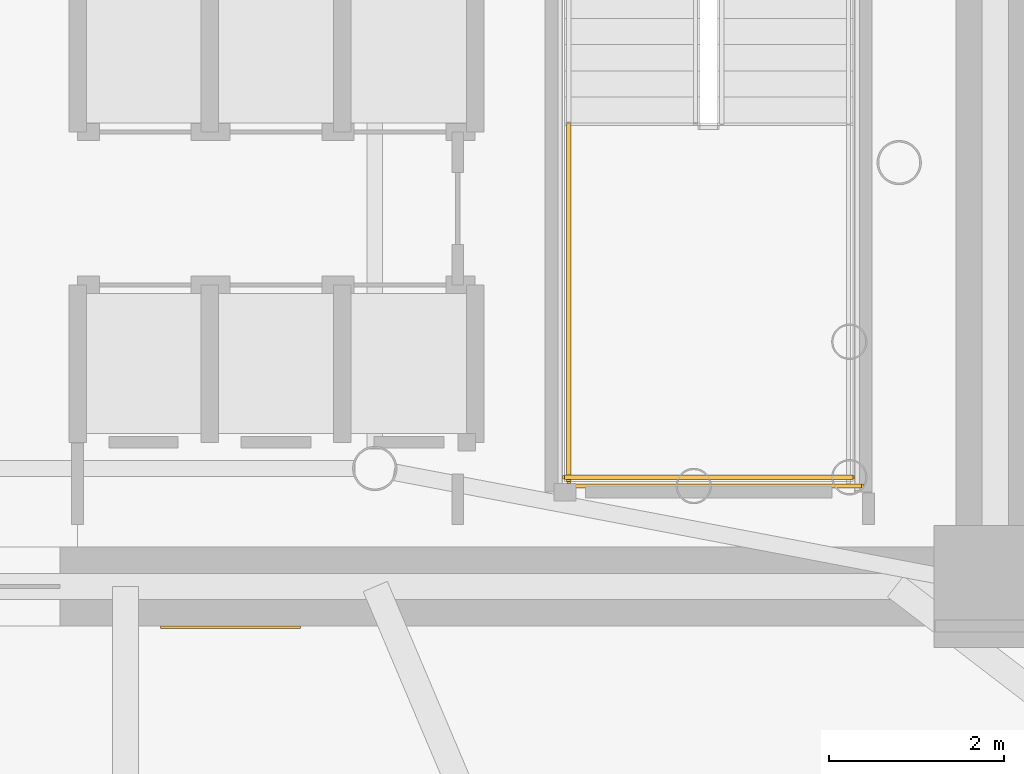
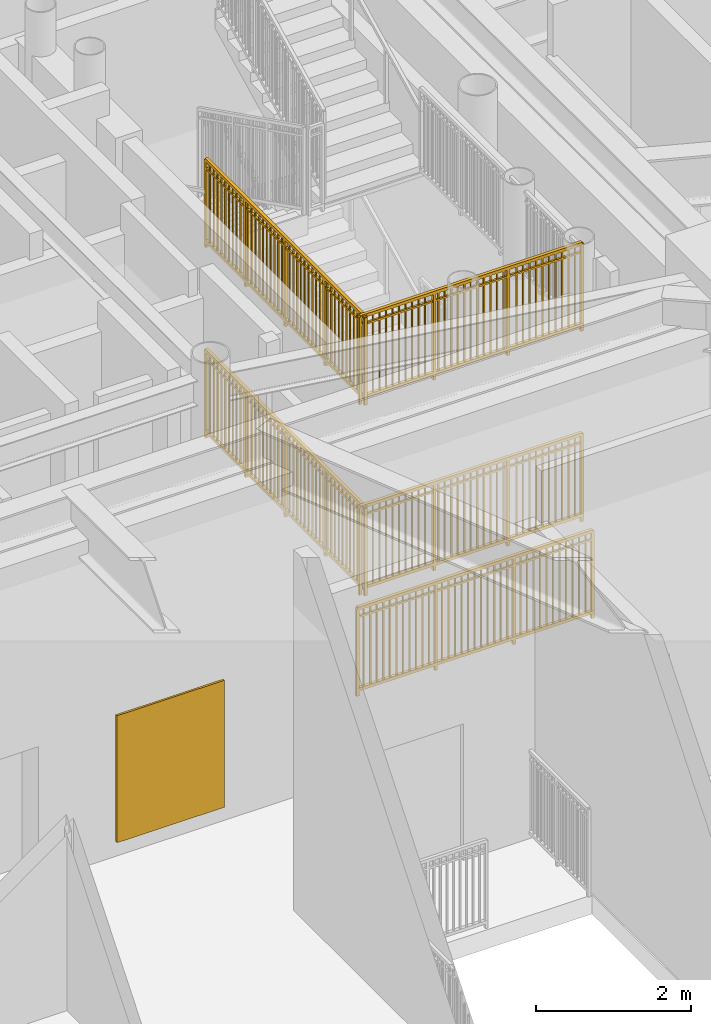
# One storey, part 40 of 46: 5 railings, 1 covering.
"""IFC4 building model written with IfcOpenShell, lengths in metres."""

import ifcopenshell
import ifcopenshell.guid

model = None  # the IFC model being written
_history = None  # IfcOwnerHistory: only IFC2X3 demands one
_inside = {}  # id of a spatial element -> (the spatial element, [elements in it])
_under = {}  # id of a project, library or spatial element -> (it, [spatial elements below it])
_declared = {}  # id of a project -> (the project, [libraries it declares])
_typed = {}  # id of a type object -> (the type object, [elements of that type])
_made_of = {}  # id of a material, layer set ... -> (it, [elements and type objects made of it])


def new_model(schema):
    """Start an empty IFC model of exactly this schema.

    Asked for "IFC4X3", IfcOpenShell would pick the latest addendum, in which some entities
    have other attributes; the version numbers below select the first issue.
    IFC2X3 requires an IfcOwnerHistory on every rooted entity: one is made here for all.
    """
    global model, _history
    if schema == "IFC4X3":
        model = ifcopenshell.file(schema_version=(4, 3, 0, 0))
    else:
        model = ifcopenshell.file(schema=schema)
    _inside.clear()
    _under.clear()
    _declared.clear()
    _typed.clear()
    _made_of.clear()
    _history = None
    if model.schema == "IFC2X3":
        org = make("IfcOrganization", Name="unknown")
        user = make(
            "IfcPersonAndOrganization",
            ThePerson=make("IfcPerson", FamilyName="unknown"),
            TheOrganization=org,
        )
        app = make(
            "IfcApplication",
            ApplicationDeveloper=org,
            Version="unknown",
            ApplicationFullName="unknown",
            ApplicationIdentifier="unknown",
        )
        _history = make(
            "IfcOwnerHistory",
            OwningUser=user,
            OwningApplication=app,
            ChangeAction="ADDED",
            CreationDate=0,
        )
    return model


def make(cls, **values):
    """One entity of the class cls with the attributes given. An attribute that is None is left unset."""
    return model.create_entity(
        cls, **{name: value for name, value in values.items() if value is not None}
    )


def rooted(cls, **values):
    """An entity with a GlobalId (a new one), such as an element, a storey or a relation."""
    return make(cls, GlobalId=ifcopenshell.guid.new(), OwnerHistory=_history, **values)


def si_unit(unit_type, name, prefix=None):
    """IfcSIUnit, for example si_unit("LENGTHUNIT", "METRE", prefix="MILLI")."""
    return make("IfcSIUnit", UnitType=unit_type, Prefix=prefix, Name=name)


def assignment(units):
    """IfcUnitAssignment: the units of a project."""
    return None if units is None else make("IfcUnitAssignment", Units=units)


def point(xyz):
    """IfcCartesianPoint."""
    return None if xyz is None else make("IfcCartesianPoint", Coordinates=xyz)


def direction(xyz):
    """IfcDirection."""
    return None if xyz is None else make("IfcDirection", DirectionRatios=xyz)


def frame(location, z_axis=None, x_axis=None):
    """IfcAxis2Placement3D, a coordinate frame: its origin and axes. An axis left out is left unset."""
    return make(
        "IfcAxis2Placement3D",
        Location=point(location),
        Axis=direction(z_axis),
        RefDirection=direction(x_axis),
    )


def frame_2d(location, x_axis=None):
    """IfcAxis2Placement2D, a coordinate frame in the plane: its origin and x axis."""
    return make(
        "IfcAxis2Placement2D", Location=point(location), RefDirection=direction(x_axis)
    )


def origin():
    """The frame at (0, 0, 0) with its axes left unset."""
    return frame((0.0, 0.0, 0.0))


def origin_2d():
    """The frame at (0, 0) in the plane with its x axis left unset."""
    return frame_2d((0.0, 0.0))


def place(relative_to, where):
    """IfcLocalPlacement: puts the frame where relative to a parent placement (None: the world)."""
    return make(
        "IfcLocalPlacement", PlacementRelTo=relative_to, RelativePlacement=where
    )


def context(
    kind, dimensions, precision=None, world=None, true_north=None, identifier=None
):
    """IfcGeometricRepresentationContext, for example the 3D "Model" context."""
    return make(
        "IfcGeometricRepresentationContext",
        ContextIdentifier=identifier,
        ContextType=kind,
        CoordinateSpaceDimension=dimensions,
        Precision=precision,
        WorldCoordinateSystem=world,
        TrueNorth=true_north,
    )


def subcontext(parent, identifier, kind, view, scale=None):
    """IfcGeometricRepresentationSubContext, for example "Body" below "Model"."""
    return make(
        "IfcGeometricRepresentationSubContext",
        ContextIdentifier=identifier,
        ContextType=kind,
        ParentContext=parent,
        TargetScale=scale,
        TargetView=view,
    )


def project(units=None, contexts=None):
    """IfcProject with its units and contexts."""
    return rooted(
        "IfcProject",
        Name="project",
        RepresentationContexts=contexts,
        UnitsInContext=assignment(units),
    )


def spatial(cls, under=None, at=None, **own):
    """A site, building, storey or space (cls), placed at a placement, below another one or the project."""
    s = rooted(cls, ObjectPlacement=at, **own)
    if under is not None:
        _under.setdefault(under.id(), (under, []))[1].append(s)
    return s


def profile(cls, at=None, kind="AREA", **sizes):
    """A parametric profile (cls). Its sizes go by their IFC names, for example OverallWidth=200.0."""
    return make(cls, ProfileType=kind, Position=at, **sizes)


def rectangle(**sizes):
    """IfcRectangleProfileDef."""
    return profile("IfcRectangleProfileDef", **sizes)


def extrude(swept, where, along, depth):
    """IfcExtrudedAreaSolid: the profile swept, set in the frame where, extruded along a direction by depth."""
    return make(
        "IfcExtrudedAreaSolid",
        SweptArea=swept,
        Position=where,
        ExtrudedDirection=direction(along),
        Depth=depth,
    )


def shape(context_of_items, identifier, shape_type, items):
    """IfcShapeRepresentation: the items that make up one representation, for example the "Body"."""
    return make(
        "IfcShapeRepresentation",
        ContextOfItems=context_of_items,
        RepresentationIdentifier=identifier,
        RepresentationType=shape_type,
        Items=items,
    )


def source(mapping_origin, context_of_items, identifier, shape_type, items):
    """IfcRepresentationMap: a shape defined once, which mapped items show again and again."""
    return make(
        "IfcRepresentationMap",
        MappingOrigin=mapping_origin,
        MappedRepresentation=shape(context_of_items, identifier, shape_type, items),
    )


def transform(
    local_origin,
    x_axis=None,
    y_axis=None,
    z_axis=None,
    scale=None,
    scale2=None,
    scale3=None,
    uniform=True,
):
    """IfcCartesianTransformationOperator3D, or its non-uniform kind. x_axis, y_axis, z_axis: its Axis1, 2, 3."""
    if uniform:
        return make(
            "IfcCartesianTransformationOperator3D",
            Axis1=direction(x_axis),
            Axis2=direction(y_axis),
            LocalOrigin=point(local_origin),
            Scale=scale,
            Axis3=direction(z_axis),
        )
    return make(
        "IfcCartesianTransformationOperator3DnonUniform",
        Axis1=direction(x_axis),
        Axis2=direction(y_axis),
        LocalOrigin=point(local_origin),
        Scale=scale,
        Axis3=direction(z_axis),
        Scale2=scale2,
        Scale3=scale3,
    )


def mapped(mapping_source, mapping_target):
    """IfcMappedItem: shows the shape of a source again, moved by a transform."""
    return make(
        "IfcMappedItem", MappingSource=mapping_source, MappingTarget=mapping_target
    )


def material(Name=None, Category=None):
    """IfcMaterial."""
    return make("IfcMaterial", Name=Name, Category=Category)


def layer(
    of_material, thickness, ventilated=None, Name=None, Category=None, Priority=None
):
    """IfcMaterialLayer: one layer of a wall or slab, of a material (None: an air gap)."""
    return make(
        "IfcMaterialLayer",
        Material=of_material,
        LayerThickness=thickness,
        IsVentilated=ventilated,
        Name=Name,
        Category=Category,
        Priority=Priority,
    )


def layer_set(layers, Name=None):
    """IfcMaterialLayerSet."""
    return make("IfcMaterialLayerSet", MaterialLayers=layers, LayerSetName=Name)


def made_of(thing, what):
    """Note that an element or type object is made of a material, layer set ...; save() writes the relation."""
    if what is not None:
        _made_of.setdefault(what.id(), (what, []))[1].append(thing)
    return thing


def type_object(cls, material=None, **own):
    """A type object (cls), such as IfcWallType, which elements share."""
    return made_of(rooted(cls, **own), material)


def element(
    cls,
    number,
    at=None,
    inside=None,
    cuts=None,
    type_object=None,
    material=None,
    context=None,
    identifier="Body",
    shape_type=None,
    held_by="IfcProductDefinitionShape",
    body=None,
    shapes=None,
    **own,
):
    """One element of the class cls, such as IfcWall. Its Tag is "e" and its number.

    at: its placement. inside: the storey or other place that contains it. cuts: it is an
    opening in that element (IfcRelVoidsElement). A single representation is given by context,
    identifier, shape_type and body (its items); several are given by shapes. held_by: the class
    of the entity that holds the representations. save() writes the other relations.
    """
    e = rooted(cls, Tag="e%d" % number, ObjectPlacement=at, **own)
    if body is not None:
        shapes = [shape(context, identifier, shape_type, body)]
    if shapes is not None:
        e.Representation = make(held_by, Representations=shapes)
    if inside is not None:
        _inside.setdefault(inside.id(), (inside, []))[1].append(e)
    if cuts is not None:
        rooted(
            "IfcRelVoidsElement", RelatingBuildingElement=cuts, RelatedOpeningElement=e
        )
    if type_object is not None:
        _typed.setdefault(type_object.id(), (type_object, []))[1].append(e)
    return made_of(e, material)


def aggregate(whole, parts):
    """IfcRelAggregates: a whole, such as a stair, and the parts it consists of."""
    return rooted("IfcRelAggregates", RelatingObject=whole, RelatedObjects=parts)


def save(model, path):
    """Write the relations noted so far, then the file.

    IfcRelAggregates (storeys below a building ...), IfcRelContainedInSpatialStructure (elements
    in a storey), IfcRelDefinesByType, IfcRelAssociatesMaterial and IfcRelDeclares: one each for
    every whole, place, type object, material and project.
    """
    for whole, parts in _under.values():
        aggregate(whole, parts)
    for where, things in _inside.values():
        rooted(
            "IfcRelContainedInSpatialStructure",
            RelatedElements=things,
            RelatingStructure=where,
        )
    for kind, things in _typed.values():
        rooted("IfcRelDefinesByType", RelatedObjects=things, RelatingType=kind)
    for what, things in _made_of.values():
        rooted("IfcRelAssociatesMaterial", RelatedObjects=things, RelatingMaterial=what)
    for by, libraries in _declared.values():
        rooted("IfcRelDeclares", RelatingContext=by, RelatedDefinitions=libraries)
    model.write(path)


model = new_model("IFC4")

# Units and contexts
model_context = context("Model", 3, precision=1e-05, world=origin(), true_north=direction((0.0, 1.0)))
body_context = subcontext(model_context, "Body", "Model", "MODEL_VIEW")
ifc_project = project(units=[si_unit("LENGTHUNIT", "METRE"), si_unit("AREAUNIT", "SQUARE_METRE"), si_unit("VOLUMEUNIT", "CUBIC_METRE"), si_unit("PLANEANGLEUNIT", "RADIAN"), si_unit("MASSUNIT", "GRAM", prefix="KILO")], contexts=[model_context])

# Site, building, storey
site_placement = place(None, origin())
site = spatial("IfcSite", under=ifc_project, at=site_placement, CompositionType="ELEMENT")
building_placement = place(site_placement, origin())
building = spatial("IfcBuilding", under=site, at=building_placement, Name="Linh Dai School and Residence Tower", CompositionType="ELEMENT")
storey_placement = place(building_placement, origin())
storey = spatial("IfcBuildingStorey", under=building, at=storey_placement, Name="L00", CompositionType="ELEMENT", Elevation=0.0)

# Railings
ifc_material_1 = material(Name="Structural Steel S355JR", Category="steel")
railing_type = type_object("IfcRailingType", Name="RL-ST-GUARD-1400", PredefinedType="GUARDRAIL", material=ifc_material_1)
shared_shape_1 = source(origin(), body_context, "Body", "SweptSolid", [
    extrude(rectangle(XDim=0.048095703125, YDim=0.048095703125, at=origin_2d()), frame((0.0, 0.0, 1.3759765625), z_axis=(1.0, 0.0, 0.0), x_axis=(0.0, 1.0, 0.0)), (0.0, 0.0, 1.0), 3.300048828125),
    extrude(rectangle(XDim=0.048095703125, YDim=0.048095703125, at=origin_2d()), frame((0.0, 0.0, 0.10009765625), z_axis=(1.0, 0.0, 0.0), x_axis=(0.0, 1.0, 0.0)), (0.0, 0.0, 1.0), 3.300048828125),
    extrude(rectangle(XDim=0.030029296875, YDim=0.030029296875, at=origin_2d()), frame((0.0, 0.0, 1.239990234375), z_axis=(1.0, 0.0, 0.0), x_axis=(0.0, 1.0, 0.0)), (0.0, 0.0, 1.0), 3.300048828125),
    extrude(rectangle(XDim=0.02001953125, YDim=0.02001953125, at=origin_2d()), frame((0.09716796875, 0.0, 0.10009765625)), (0.0, 0.0, 1.0), 1.251708984375),
    extrude(rectangle(XDim=0.02001953125, YDim=0.02001953125, at=origin_2d()), frame((0.194091796875, 0.0, 0.10009765625)), (0.0, 0.0, 1.0), 1.251708984375),
    extrude(rectangle(XDim=0.02001953125, YDim=0.02001953125, at=origin_2d()), frame((0.291259765625, 0.0, 0.10009765625)), (0.0, 0.0, 1.0), 1.251708984375),
    extrude(rectangle(XDim=0.02001953125, YDim=0.02001953125, at=origin_2d()), frame((0.38818359375, 0.0, 0.10009765625)), (0.0, 0.0, 1.0), 1.251708984375),
    extrude(rectangle(XDim=0.02001953125, YDim=0.02001953125, at=origin_2d()), frame((0.4853515625, 0.0, 0.10009765625)), (0.0, 0.0, 1.0), 1.251708984375),
    extrude(rectangle(XDim=0.02001953125, YDim=0.02001953125, at=origin_2d()), frame((0.582275390625, 0.0, 0.10009765625)), (0.0, 0.0, 1.0), 1.251708984375),
    extrude(rectangle(XDim=0.02001953125, YDim=0.02001953125, at=origin_2d()), frame((0.679443359375, 0.0, 0.10009765625)), (0.0, 0.0, 1.0), 1.251708984375),
    extrude(rectangle(XDim=0.02001953125, YDim=0.02001953125, at=origin_2d()), frame((0.7763671875, 0.0, 0.10009765625)), (0.0, 0.0, 1.0), 1.251708984375),
    extrude(rectangle(XDim=0.02001953125, YDim=0.02001953125, at=origin_2d()), frame((0.87353515625, 0.0, 0.10009765625)), (0.0, 0.0, 1.0), 1.251708984375),
    extrude(rectangle(XDim=0.02001953125, YDim=0.02001953125, at=origin_2d()), frame((0.970703125, 0.0, 0.10009765625)), (0.0, 0.0, 1.0), 1.251708984375),
    extrude(rectangle(XDim=0.02001953125, YDim=0.02001953125, at=origin_2d()), frame((1.164794921875, 0.0, 0.10009765625)), (0.0, 0.0, 1.0), 1.251708984375),
    extrude(rectangle(XDim=0.02001953125, YDim=0.02001953125, at=origin_2d()), frame((1.26171875, 0.0, 0.10009765625)), (0.0, 0.0, 1.0), 1.251708984375),
    extrude(rectangle(XDim=0.02001953125, YDim=0.02001953125, at=origin_2d()), frame((1.35888671875, 0.0, 0.10009765625)), (0.0, 0.0, 1.0), 1.251708984375),
    extrude(rectangle(XDim=0.02001953125, YDim=0.02001953125, at=origin_2d()), frame((1.455810546875, 0.0, 0.10009765625)), (0.0, 0.0, 1.0), 1.251708984375),
    extrude(rectangle(XDim=0.02001953125, YDim=0.02001953125, at=origin_2d()), frame((1.552978515625, 0.0, 0.10009765625)), (0.0, 0.0, 1.0), 1.251708984375),
    extrude(rectangle(XDim=0.02001953125, YDim=0.02001953125, at=origin_2d()), frame((1.64990234375, 0.0, 0.10009765625)), (0.0, 0.0, 1.0), 1.251708984375),
    extrude(rectangle(XDim=0.02001953125, YDim=0.02001953125, at=origin_2d()), frame((1.7470703125, 0.0, 0.10009765625)), (0.0, 0.0, 1.0), 1.251708984375),
    extrude(rectangle(XDim=0.02001953125, YDim=0.02001953125, at=origin_2d()), frame((1.84423828125, 0.0, 0.10009765625)), (0.0, 0.0, 1.0), 1.251708984375),
    extrude(rectangle(XDim=0.02001953125, YDim=0.02001953125, at=origin_2d()), frame((1.941162109375, 0.0, 0.10009765625)), (0.0, 0.0, 1.0), 1.251708984375),
    extrude(rectangle(XDim=0.02001953125, YDim=0.02001953125, at=origin_2d()), frame((2.038330078125, 0.0, 0.10009765625)), (0.0, 0.0, 1.0), 1.251708984375),
    extrude(rectangle(XDim=0.02001953125, YDim=0.02001953125, at=origin_2d()), frame((2.13525390625, 0.0, 0.10009765625)), (0.0, 0.0, 1.0), 1.251708984375),
    extrude(rectangle(XDim=0.02001953125, YDim=0.02001953125, at=origin_2d()), frame((2.329345703125, 0.0, 0.10009765625)), (0.0, 0.0, 1.0), 1.251708984375),
    extrude(rectangle(XDim=0.02001953125, YDim=0.02001953125, at=origin_2d()), frame((2.426513671875, 0.0, 0.10009765625)), (0.0, 0.0, 1.0), 1.251708984375),
    extrude(rectangle(XDim=0.02001953125, YDim=0.02001953125, at=origin_2d()), frame((2.523681640625, 0.0, 0.10009765625)), (0.0, 0.0, 1.0), 1.251708984375),
    extrude(rectangle(XDim=0.02001953125, YDim=0.02001953125, at=origin_2d()), frame((2.62060546875, 0.0, 0.10009765625)), (0.0, 0.0, 1.0), 1.251708984375),
    extrude(rectangle(XDim=0.02001953125, YDim=0.02001953125, at=origin_2d()), frame((2.7177734375, 0.0, 0.10009765625)), (0.0, 0.0, 1.0), 1.251708984375),
    extrude(rectangle(XDim=0.02001953125, YDim=0.02001953125, at=origin_2d()), frame((2.814697265625, 0.0, 0.10009765625)), (0.0, 0.0, 1.0), 1.251708984375),
    extrude(rectangle(XDim=0.02001953125, YDim=0.02001953125, at=origin_2d()), frame((2.911865234375, 0.0, 0.10009765625)), (0.0, 0.0, 1.0), 1.251708984375),
    extrude(rectangle(XDim=0.02001953125, YDim=0.02001953125, at=origin_2d()), frame((3.0087890625, 0.0, 0.10009765625)), (0.0, 0.0, 1.0), 1.251708984375),
    extrude(rectangle(XDim=0.02001953125, YDim=0.02001953125, at=origin_2d()), frame((3.10595703125, 0.0, 0.10009765625)), (0.0, 0.0, 1.0), 1.251708984375),
    extrude(rectangle(XDim=0.02001953125, YDim=0.02001953125, at=origin_2d()), frame((3.202880859375, 0.0, 0.10009765625)), (0.0, 0.0, 1.0), 1.251708984375),
    extrude(rectangle(XDim=0.0419921875, YDim=0.0419921875, at=origin_2d()), origin(), (0.0, 0.0, 1.0), 1.3759765625),
    extrude(rectangle(XDim=0.0419921875, YDim=0.0419921875, at=origin_2d()), frame((1.10009765625, 0.0, 0.0)), (0.0, 0.0, 1.0), 1.3759765625),
    extrude(rectangle(XDim=0.0419921875, YDim=0.0419921875, at=origin_2d()), frame((2.199951171875, 0.0, 0.0)), (0.0, 0.0, 1.0), 1.3759765625),
    extrude(rectangle(XDim=0.0419921875, YDim=0.0419921875, at=origin_2d()), frame((3.300048828125, 0.0, 0.0)), (0.0, 0.0, 1.0), 1.3759765625),
])
for number, where, name in (
    (1, (41.02001953125, 21.5, 1.5), "L00 ST2 stair guard 5"),
    (2, (41.02001953125, 21.5, 4.5), "L00 ST2 stair guard 14"),
):
    element("IfcRailing", number, at=place(storey_placement, frame(where)), inside=storey, type_object=railing_type, Name=name, PredefinedType="GUARDRAIL", context=body_context, shape_type="MappedRepresentation", body=[
        mapped(shared_shape_1, transform((0.0, 0.0, 0.0), x_axis=(1.0, 0.0, 0.0), y_axis=(0.0, 1.0, 0.0), z_axis=(0.0, 0.0, 1.0), scale=1.0)),
    ])
shared_shape_2 = source(origin(), body_context, "Body", "SweptSolid", [
    extrude(rectangle(XDim=0.048095703125, YDim=0.048095703125, at=origin_2d()), frame((0.0, 0.0, 1.3759765625), z_axis=(1.0, 0.0, 0.0), x_axis=(0.0, 1.0, 0.0)), (0.0, 0.0, 1.0), 3.5),
    extrude(rectangle(XDim=0.048095703125, YDim=0.048095703125, at=origin_2d()), frame((0.0, 0.0, 0.10009765625), z_axis=(1.0, 0.0, 0.0), x_axis=(0.0, 1.0, 0.0)), (0.0, 0.0, 1.0), 3.5),
    extrude(rectangle(XDim=0.030029296875, YDim=0.030029296875, at=origin_2d()), frame((0.0, 0.0, 1.239990234375), z_axis=(1.0, 0.0, 0.0), x_axis=(0.0, 1.0, 0.0)), (0.0, 0.0, 1.0), 3.5),
    extrude(rectangle(XDim=0.02001953125, YDim=0.02001953125, at=origin_2d()), frame((0.09716796875, 0.0, 0.10009765625)), (0.0, 0.0, 1.0), 1.251708984375),
    extrude(rectangle(XDim=0.02001953125, YDim=0.02001953125, at=origin_2d()), frame((0.1943359375, 0.0, 0.10009765625)), (0.0, 0.0, 1.0), 1.251708984375),
    extrude(rectangle(XDim=0.02001953125, YDim=0.02001953125, at=origin_2d()), frame((0.291748046875, 0.0, 0.10009765625)), (0.0, 0.0, 1.0), 1.251708984375),
    extrude(rectangle(XDim=0.02001953125, YDim=0.02001953125, at=origin_2d()), frame((0.388916015625, 0.0, 0.10009765625)), (0.0, 0.0, 1.0), 1.251708984375),
    extrude(rectangle(XDim=0.02001953125, YDim=0.02001953125, at=origin_2d()), frame((0.486083984375, 0.0, 0.10009765625)), (0.0, 0.0, 1.0), 1.251708984375),
    extrude(rectangle(XDim=0.02001953125, YDim=0.02001953125, at=origin_2d()), frame((0.583251953125, 0.0, 0.10009765625)), (0.0, 0.0, 1.0), 1.251708984375),
    extrude(rectangle(XDim=0.02001953125, YDim=0.02001953125, at=origin_2d()), frame((0.6806640625, 0.0, 0.10009765625)), (0.0, 0.0, 1.0), 1.251708984375),
    extrude(rectangle(XDim=0.02001953125, YDim=0.02001953125, at=origin_2d()), frame((0.77783203125, 0.0, 0.10009765625)), (0.0, 0.0, 1.0), 1.251708984375),
    extrude(rectangle(XDim=0.02001953125, YDim=0.02001953125, at=origin_2d()), frame((0.875, 0.0, 0.10009765625)), (0.0, 0.0, 1.0), 1.251708984375),
    extrude(rectangle(XDim=0.02001953125, YDim=0.02001953125, at=origin_2d()), frame((0.97216796875, 0.0, 0.10009765625)), (0.0, 0.0, 1.0), 1.251708984375),
    extrude(rectangle(XDim=0.02001953125, YDim=0.02001953125, at=origin_2d()), frame((1.0693359375, 0.0, 0.10009765625)), (0.0, 0.0, 1.0), 1.251708984375),
    extrude(rectangle(XDim=0.02001953125, YDim=0.02001953125, at=origin_2d()), frame((1.263916015625, 0.0, 0.10009765625)), (0.0, 0.0, 1.0), 1.251708984375),
    extrude(rectangle(XDim=0.02001953125, YDim=0.02001953125, at=origin_2d()), frame((1.361083984375, 0.0, 0.10009765625)), (0.0, 0.0, 1.0), 1.251708984375),
    extrude(rectangle(XDim=0.02001953125, YDim=0.02001953125, at=origin_2d()), frame((1.458251953125, 0.0, 0.10009765625)), (0.0, 0.0, 1.0), 1.251708984375),
    extrude(rectangle(XDim=0.02001953125, YDim=0.02001953125, at=origin_2d()), frame((1.5556640625, 0.0, 0.10009765625)), (0.0, 0.0, 1.0), 1.251708984375),
    extrude(rectangle(XDim=0.02001953125, YDim=0.02001953125, at=origin_2d()), frame((1.65283203125, 0.0, 0.10009765625)), (0.0, 0.0, 1.0), 1.251708984375),
    extrude(rectangle(XDim=0.02001953125, YDim=0.02001953125, at=origin_2d()), frame((1.75, 0.0, 0.10009765625)), (0.0, 0.0, 1.0), 1.251708984375),
    extrude(rectangle(XDim=0.02001953125, YDim=0.02001953125, at=origin_2d()), frame((1.84716796875, 0.0, 0.10009765625)), (0.0, 0.0, 1.0), 1.251708984375),
    extrude(rectangle(XDim=0.02001953125, YDim=0.02001953125, at=origin_2d()), frame((1.9443359375, 0.0, 0.10009765625)), (0.0, 0.0, 1.0), 1.251708984375),
    extrude(rectangle(XDim=0.02001953125, YDim=0.02001953125, at=origin_2d()), frame((2.041748046875, 0.0, 0.10009765625)), (0.0, 0.0, 1.0), 1.251708984375),
    extrude(rectangle(XDim=0.02001953125, YDim=0.02001953125, at=origin_2d()), frame((2.138916015625, 0.0, 0.10009765625)), (0.0, 0.0, 1.0), 1.251708984375),
    extrude(rectangle(XDim=0.02001953125, YDim=0.02001953125, at=origin_2d()), frame((2.236083984375, 0.0, 0.10009765625)), (0.0, 0.0, 1.0), 1.251708984375),
    extrude(rectangle(XDim=0.02001953125, YDim=0.02001953125, at=origin_2d()), frame((2.4306640625, 0.0, 0.10009765625)), (0.0, 0.0, 1.0), 1.251708984375),
    extrude(rectangle(XDim=0.02001953125, YDim=0.02001953125, at=origin_2d()), frame((2.52783203125, 0.0, 0.10009765625)), (0.0, 0.0, 1.0), 1.251708984375),
    extrude(rectangle(XDim=0.02001953125, YDim=0.02001953125, at=origin_2d()), frame((2.625, 0.0, 0.10009765625)), (0.0, 0.0, 1.0), 1.251708984375),
    extrude(rectangle(XDim=0.02001953125, YDim=0.02001953125, at=origin_2d()), frame((2.72216796875, 0.0, 0.10009765625)), (0.0, 0.0, 1.0), 1.251708984375),
    extrude(rectangle(XDim=0.02001953125, YDim=0.02001953125, at=origin_2d()), frame((2.8193359375, 0.0, 0.10009765625)), (0.0, 0.0, 1.0), 1.251708984375),
    extrude(rectangle(XDim=0.02001953125, YDim=0.02001953125, at=origin_2d()), frame((2.916748046875, 0.0, 0.10009765625)), (0.0, 0.0, 1.0), 1.251708984375),
    extrude(rectangle(XDim=0.02001953125, YDim=0.02001953125, at=origin_2d()), frame((3.013916015625, 0.0, 0.10009765625)), (0.0, 0.0, 1.0), 1.251708984375),
    extrude(rectangle(XDim=0.02001953125, YDim=0.02001953125, at=origin_2d()), frame((3.111083984375, 0.0, 0.10009765625)), (0.0, 0.0, 1.0), 1.251708984375),
    extrude(rectangle(XDim=0.02001953125, YDim=0.02001953125, at=origin_2d()), frame((3.208251953125, 0.0, 0.10009765625)), (0.0, 0.0, 1.0), 1.251708984375),
    extrude(rectangle(XDim=0.02001953125, YDim=0.02001953125, at=origin_2d()), frame((3.3056640625, 0.0, 0.10009765625)), (0.0, 0.0, 1.0), 1.251708984375),
    extrude(rectangle(XDim=0.02001953125, YDim=0.02001953125, at=origin_2d()), frame((3.40283203125, 0.0, 0.10009765625)), (0.0, 0.0, 1.0), 1.251708984375),
    extrude(rectangle(XDim=0.0419921875, YDim=0.0419921875, at=origin_2d()), origin(), (0.0, 0.0, 1.0), 1.3759765625),
    extrude(rectangle(XDim=0.0419921875, YDim=0.0419921875, at=origin_2d()), frame((1.166748046875, 0.0, 0.0)), (0.0, 0.0, 1.0), 1.3759765625),
    extrude(rectangle(XDim=0.0419921875, YDim=0.0419921875, at=origin_2d()), frame((2.333251953125, 0.0, 0.0)), (0.0, 0.0, 1.0), 1.3759765625),
    extrude(rectangle(XDim=0.0419921875, YDim=0.0419921875, at=origin_2d()), frame((3.5, 0.0, 0.0)), (0.0, 0.0, 1.0), 1.3759765625),
])
railing_placement = place(storey_placement, frame((40.919921875, 21.39990234375, 0.0)))
element("IfcRailing", 3, at=railing_placement, inside=storey, type_object=railing_type, Name="L00 ST2 stair guard 21", PredefinedType="GUARDRAIL", context=body_context, shape_type="MappedRepresentation", body=[
    mapped(shared_shape_2, transform((0.0, 0.0, 0.0), x_axis=(1.0, 0.0, 0.0), y_axis=(0.0, 1.0, 0.0), z_axis=(0.0, 0.0, 1.0), scale=1.0)),
])
shared_shape_3 = source(origin(), body_context, "Body", "SweptSolid", [
    extrude(rectangle(XDim=0.048095703125, YDim=0.048095703125, at=origin_2d()), frame((0.0, 0.0, 1.3759765625), z_axis=(0.0, -1.0, 0.0), x_axis=(1.0, 0.0, 0.0)), (0.0, 0.0, 1.0), 4.10009765625),
    extrude(rectangle(XDim=0.048095703125, YDim=0.048095703125, at=origin_2d()), frame((0.0, 0.0, 0.10009765625), z_axis=(0.0, -1.0, 0.0), x_axis=(1.0, 0.0, 0.0)), (0.0, 0.0, 1.0), 4.10009765625),
    extrude(rectangle(XDim=0.030029296875, YDim=0.030029296875, at=origin_2d()), frame((0.0, 0.0, 1.239990234375), z_axis=(0.0, -1.0, 0.0), x_axis=(1.0, 0.0, 0.0)), (0.0, 0.0, 1.0), 4.10009765625),
    extrude(rectangle(XDim=0.02001953125, YDim=0.02001953125, at=origin_2d()), frame((0.0, -0.09765625, 0.10009765625)), (0.0, 0.0, 1.0), 1.251708984375),
    extrude(rectangle(XDim=0.02001953125, YDim=0.02001953125, at=origin_2d()), frame((0.0, -0.1953125, 0.10009765625)), (0.0, 0.0, 1.0), 1.251708984375),
    extrude(rectangle(XDim=0.02001953125, YDim=0.02001953125, at=origin_2d()), frame((0.0, -0.29296875, 0.10009765625)), (0.0, 0.0, 1.0), 1.251708984375),
    extrude(rectangle(XDim=0.02001953125, YDim=0.02001953125, at=origin_2d()), frame((0.0, -0.390380859375, 0.10009765625)), (0.0, 0.0, 1.0), 1.251708984375),
    extrude(rectangle(XDim=0.02001953125, YDim=0.02001953125, at=origin_2d()), frame((0.0, -0.488037109375, 0.10009765625)), (0.0, 0.0, 1.0), 1.251708984375),
    extrude(rectangle(XDim=0.02001953125, YDim=0.02001953125, at=origin_2d()), frame((0.0, -0.585693359375, 0.10009765625)), (0.0, 0.0, 1.0), 1.251708984375),
    extrude(rectangle(XDim=0.02001953125, YDim=0.02001953125, at=origin_2d()), frame((0.0, -0.683349609375, 0.10009765625)), (0.0, 0.0, 1.0), 1.251708984375),
    extrude(rectangle(XDim=0.02001953125, YDim=0.02001953125, at=origin_2d()), frame((0.0, -0.781005859375, 0.10009765625)), (0.0, 0.0, 1.0), 1.251708984375),
    extrude(rectangle(XDim=0.02001953125, YDim=0.02001953125, at=origin_2d()), frame((0.0, -0.878662109375, 0.10009765625)), (0.0, 0.0, 1.0), 1.251708984375),
    extrude(rectangle(XDim=0.02001953125, YDim=0.02001953125, at=origin_2d()), frame((0.0, -0.976318359375, 0.10009765625)), (0.0, 0.0, 1.0), 1.251708984375),
    extrude(rectangle(XDim=0.02001953125, YDim=0.02001953125, at=origin_2d()), frame((0.0, -1.07373046875, 0.10009765625)), (0.0, 0.0, 1.0), 1.251708984375),
    extrude(rectangle(XDim=0.02001953125, YDim=0.02001953125, at=origin_2d()), frame((0.0, -1.17138671875, 0.10009765625)), (0.0, 0.0, 1.0), 1.251708984375),
    extrude(rectangle(XDim=0.02001953125, YDim=0.02001953125, at=origin_2d()), frame((0.0, -1.26904296875, 0.10009765625)), (0.0, 0.0, 1.0), 1.251708984375),
    extrude(rectangle(XDim=0.02001953125, YDim=0.02001953125, at=origin_2d()), frame((0.0, -1.36669921875, 0.10009765625)), (0.0, 0.0, 1.0), 1.251708984375),
    extrude(rectangle(XDim=0.02001953125, YDim=0.02001953125, at=origin_2d()), frame((0.0, -1.46435546875, 0.10009765625)), (0.0, 0.0, 1.0), 1.251708984375),
    extrude(rectangle(XDim=0.02001953125, YDim=0.02001953125, at=origin_2d()), frame((0.0, -1.56201171875, 0.10009765625)), (0.0, 0.0, 1.0), 1.251708984375),
    extrude(rectangle(XDim=0.02001953125, YDim=0.02001953125, at=origin_2d()), frame((0.0, -1.65966796875, 0.10009765625)), (0.0, 0.0, 1.0), 1.251708984375),
    extrude(rectangle(XDim=0.02001953125, YDim=0.02001953125, at=origin_2d()), frame((0.0, -1.757080078125, 0.10009765625)), (0.0, 0.0, 1.0), 1.251708984375),
    extrude(rectangle(XDim=0.02001953125, YDim=0.02001953125, at=origin_2d()), frame((0.0, -1.854736328125, 0.10009765625)), (0.0, 0.0, 1.0), 1.251708984375),
    extrude(rectangle(XDim=0.02001953125, YDim=0.02001953125, at=origin_2d()), frame((0.0, -1.952392578125, 0.10009765625)), (0.0, 0.0, 1.0), 1.251708984375),
    extrude(rectangle(XDim=0.02001953125, YDim=0.02001953125, at=origin_2d()), frame((0.0, -2.147705078125, 0.10009765625)), (0.0, 0.0, 1.0), 1.251708984375),
    extrude(rectangle(XDim=0.02001953125, YDim=0.02001953125, at=origin_2d()), frame((0.0, -2.245361328125, 0.10009765625)), (0.0, 0.0, 1.0), 1.251708984375),
    extrude(rectangle(XDim=0.02001953125, YDim=0.02001953125, at=origin_2d()), frame((0.0, -2.343017578125, 0.10009765625)), (0.0, 0.0, 1.0), 1.251708984375),
    extrude(rectangle(XDim=0.02001953125, YDim=0.02001953125, at=origin_2d()), frame((0.0, -2.4404296875, 0.10009765625)), (0.0, 0.0, 1.0), 1.251708984375),
    extrude(rectangle(XDim=0.02001953125, YDim=0.02001953125, at=origin_2d()), frame((0.0, -2.5380859375, 0.10009765625)), (0.0, 0.0, 1.0), 1.251708984375),
    extrude(rectangle(XDim=0.02001953125, YDim=0.02001953125, at=origin_2d()), frame((0.0, -2.6357421875, 0.10009765625)), (0.0, 0.0, 1.0), 1.251708984375),
    extrude(rectangle(XDim=0.02001953125, YDim=0.02001953125, at=origin_2d()), frame((0.0, -2.7333984375, 0.10009765625)), (0.0, 0.0, 1.0), 1.251708984375),
    extrude(rectangle(XDim=0.02001953125, YDim=0.02001953125, at=origin_2d()), frame((0.0, -2.8310546875, 0.10009765625)), (0.0, 0.0, 1.0), 1.251708984375),
    extrude(rectangle(XDim=0.02001953125, YDim=0.02001953125, at=origin_2d()), frame((0.0, -2.9287109375, 0.10009765625)), (0.0, 0.0, 1.0), 1.251708984375),
    extrude(rectangle(XDim=0.02001953125, YDim=0.02001953125, at=origin_2d()), frame((0.0, -3.0263671875, 0.10009765625)), (0.0, 0.0, 1.0), 1.251708984375),
    extrude(rectangle(XDim=0.02001953125, YDim=0.02001953125, at=origin_2d()), frame((0.0, -3.123779296875, 0.10009765625)), (0.0, 0.0, 1.0), 1.251708984375),
    extrude(rectangle(XDim=0.02001953125, YDim=0.02001953125, at=origin_2d()), frame((0.0, -3.221435546875, 0.10009765625)), (0.0, 0.0, 1.0), 1.251708984375),
    extrude(rectangle(XDim=0.02001953125, YDim=0.02001953125, at=origin_2d()), frame((0.0, -3.319091796875, 0.10009765625)), (0.0, 0.0, 1.0), 1.251708984375),
    extrude(rectangle(XDim=0.02001953125, YDim=0.02001953125, at=origin_2d()), frame((0.0, -3.416748046875, 0.10009765625)), (0.0, 0.0, 1.0), 1.251708984375),
    extrude(rectangle(XDim=0.02001953125, YDim=0.02001953125, at=origin_2d()), frame((0.0, -3.514404296875, 0.10009765625)), (0.0, 0.0, 1.0), 1.251708984375),
    extrude(rectangle(XDim=0.02001953125, YDim=0.02001953125, at=origin_2d()), frame((0.0, -3.612060546875, 0.10009765625)), (0.0, 0.0, 1.0), 1.251708984375),
    extrude(rectangle(XDim=0.02001953125, YDim=0.02001953125, at=origin_2d()), frame((0.0, -3.709716796875, 0.10009765625)), (0.0, 0.0, 1.0), 1.251708984375),
    extrude(rectangle(XDim=0.02001953125, YDim=0.02001953125, at=origin_2d()), frame((0.0, -3.80712890625, 0.10009765625)), (0.0, 0.0, 1.0), 1.251708984375),
    extrude(rectangle(XDim=0.02001953125, YDim=0.02001953125, at=origin_2d()), frame((0.0, -3.90478515625, 0.10009765625)), (0.0, 0.0, 1.0), 1.251708984375),
    extrude(rectangle(XDim=0.02001953125, YDim=0.02001953125, at=origin_2d()), frame((0.0, -4.00244140625, 0.10009765625)), (0.0, 0.0, 1.0), 1.251708984375),
    extrude(rectangle(XDim=0.0419921875, YDim=0.0419921875, at=origin_2d()), origin(), (0.0, 0.0, 1.0), 1.3759765625),
    extrude(rectangle(XDim=0.0419921875, YDim=0.0419921875, at=origin_2d()), frame((0.0, -1.02490234375, 0.0)), (0.0, 0.0, 1.0), 1.3759765625),
    extrude(rectangle(XDim=0.0419921875, YDim=0.0419921875, at=origin_2d()), frame((0.0, -2.050048828125, 0.0)), (0.0, 0.0, 1.0), 1.3759765625),
    extrude(rectangle(XDim=0.0419921875, YDim=0.0419921875, at=origin_2d()), frame((0.0, -3.0751953125, 0.0)), (0.0, 0.0, 1.0), 1.3759765625),
    extrude(rectangle(XDim=0.0419921875, YDim=0.0419921875, at=origin_2d()), frame((0.0, -4.10009765625, 0.0)), (0.0, 0.0, 1.0), 1.3759765625),
])
for number, where, name in (
    (4, (41.070068359375, 25.550048828125, 1.5), "L00 ST2 stair guard 3"),
    (5, (41.070068359375, 25.550048828125, 4.5), "L00 ST2 stair guard 12"),
):
    element("IfcRailing", number, at=place(storey_placement, frame(where)), inside=storey, type_object=railing_type, Name=name, PredefinedType="GUARDRAIL", context=body_context, shape_type="MappedRepresentation", body=[
        mapped(shared_shape_3, transform((0.0, 0.0, 0.0), x_axis=(1.0, 0.0, 0.0), y_axis=(0.0, 1.0, 0.0), z_axis=(0.0, 0.0, 1.0), scale=1.0)),
    ])

# Covering
ifc_material_2 = material(Name="Glazed Terracotta Acoustic Feature Cladding", Category="masonry")
ifc_layer = layer(ifc_material_2, 0.030029296875)
ifc_layer_set = layer_set([ifc_layer], Name="Glazed Terracotta Acoustic Feature Cladding")
covering_type = type_object("IfcCoveringType", Name="COV-CLAD-TC-30", PredefinedType="CLADDING", material=ifc_layer_set)
shared_shape_4 = source(origin(), body_context, "Body", "SweptSolid", [
    extrude(rectangle(XDim=1.60009765625, YDim=0.030029296875, at=origin_2d()), origin(), (0.0, 0.0, 1.0), 2.0),
])
covering_placement = place(storey_placement, frame((37.199951171875, 19.784912109375, 0.25), z_axis=(0.0, 0.0, 1.0), x_axis=(1.0, 0.0, 0.0)))
element("IfcCovering", 6, at=covering_placement, inside=storey, type_object=covering_type, Name="L00 Core Lobby Terracotta Feature Cladding", PredefinedType="CLADDING", context=body_context, shape_type="MappedRepresentation", body=[
    mapped(shared_shape_4, transform((0.0, 0.0, 0.0), x_axis=(1.0, 0.0, 0.0), y_axis=(0.0, 1.0, 0.0), z_axis=(0.0, 0.0, 1.0), scale=1.0)),
])

save(model, "model.ifc")
